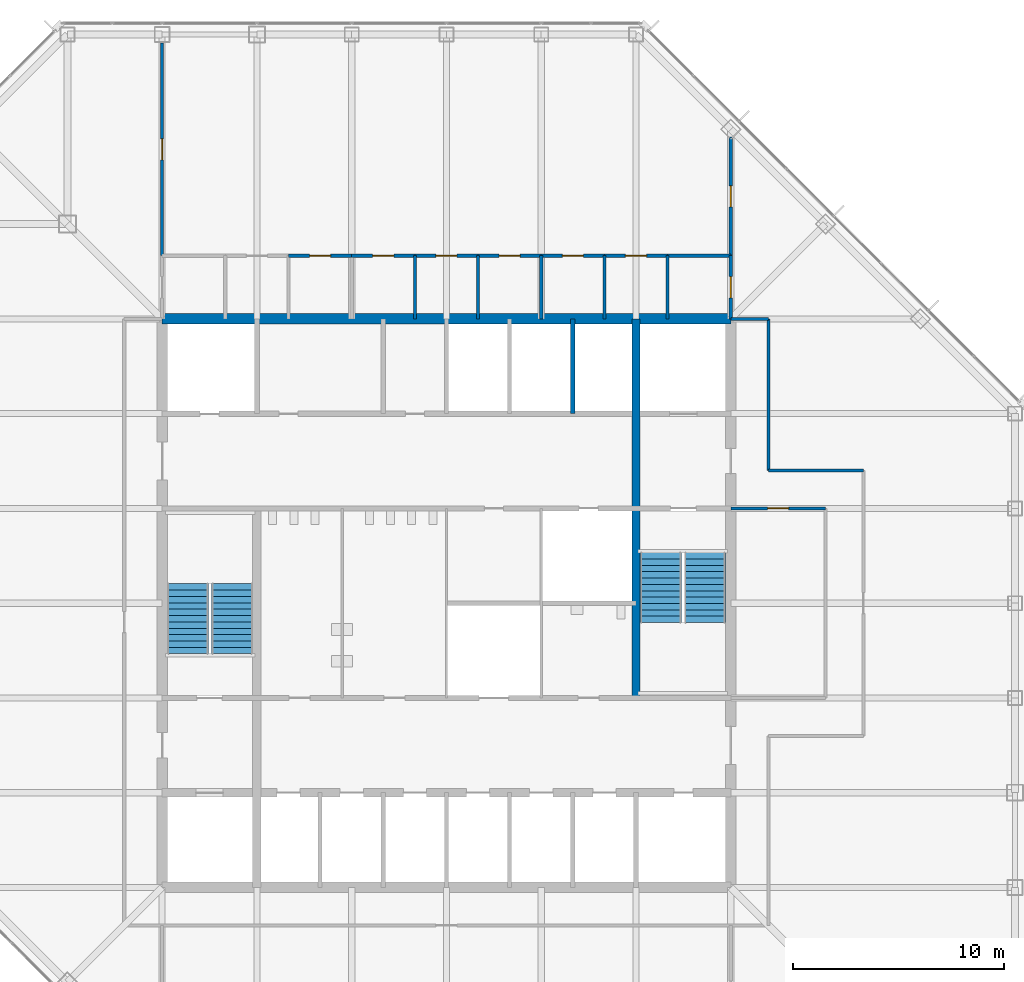
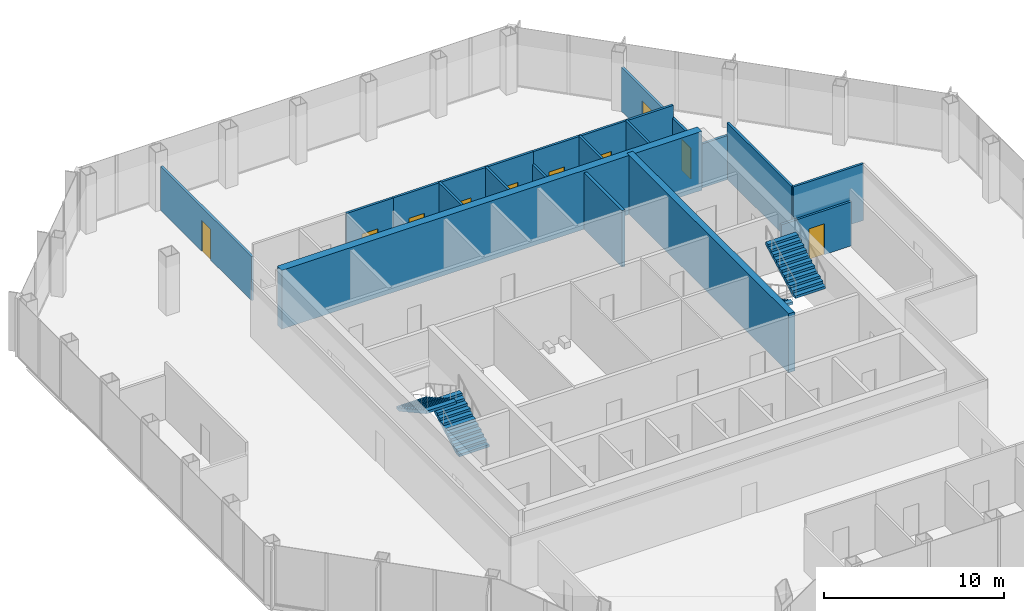
# One storey, part 10 of 12: 22 walls, 10 doors, 4 stair flights, 10 openings, 2 elements without a shape of their own.
"""IFC4 building model written with IfcOpenShell, lengths in metres."""

from ifc_helpers import new_model, si_unit, direction, frame, frame_2d, origin, place, context, subcontext, project, spatial, polyline, rectangle, outline, extrude, material, layer, layer_set, type_object, element, fill, aggregate, save


model = new_model("IFC4")

# Units and contexts
model_context = context("Model", 3, precision=1e-05, world=origin(), true_north=direction((0.0, 1.0)))
body_context = subcontext(model_context, "Body", "Model", "MODEL_VIEW")
ifc_project = project(units=[si_unit("LENGTHUNIT", "METRE"), si_unit("AREAUNIT", "SQUARE_METRE"), si_unit("VOLUMEUNIT", "CUBIC_METRE"), si_unit("PLANEANGLEUNIT", "RADIAN"), si_unit("MASSUNIT", "GRAM", prefix="KILO")], contexts=[model_context])

# Site, building, storey
site_placement = place(None, origin())
site = spatial("IfcSite", under=ifc_project, at=site_placement, CompositionType="ELEMENT")
building_placement = place(site_placement, origin())
building = spatial("IfcBuilding", under=site, at=building_placement, Name="Corais Broadcast Tower", CompositionType="ELEMENT")
storey_placement = place(building_placement, frame((0.0, 0.0, 163.60009765625)))
storey = spatial("IfcBuildingStorey", under=building, at=storey_placement, Name="L37", CompositionType="ELEMENT", Elevation=163.60009765625)

# Walls
ifc_material_1 = material(Name="Concrete C50/60", Category="concrete")
ifc_layer_1 = layer(ifc_material_1, 0.39990234375)
ifc_layer_set_1 = layer_set([ifc_layer_1], Name="Concrete C50/60")
wall_type_1 = type_object("IfcWallType", Name="Core wall 400", PredefinedType="SHEAR", material=ifc_layer_set_1)
wall_1_placement = place(storey_placement, frame((36.0, 22.5, 0.0), z_axis=(0.0, 0.0, 1.0), x_axis=(0.0, 1.0, 0.0)))
element("IfcWall", 1, at=wall_1_placement, inside=storey, type_object=wall_type_1, Name="CR400 core wall X36B L37", PredefinedType="SHEAR", context=body_context, shape_type="SweptSolid", body=[
    extrude(rectangle(XDim=18.0, YDim=0.39990234375, at=frame_2d((9.0, 0.0))), origin(), (0.0, 0.0, 1.0), 4.0),
])
ifc_material_2 = material(Name="Concrete C50/60", Category="concrete")
ifc_layer_2 = layer(ifc_material_2, 0.5)
ifc_layer_set_2 = layer_set([ifc_layer_2], Name="Concrete C50/60")
wall_type_2 = type_object("IfcWallType", Name="Core wall 500", PredefinedType="SHEAR", material=ifc_layer_set_2)
wall_2_placement = place(storey_placement, frame((40.5, 40.5, 0.0), z_axis=(0.0, 0.0, 1.0), x_axis=(-1.0, 0.0, 0.0)))
element("IfcWall", 2, at=wall_2_placement, inside=storey, type_object=wall_type_2, Name="CR500 core wall N L37", PredefinedType="SHEAR", context=body_context, shape_type="SweptSolid", body=[
    extrude(rectangle(XDim=27.0, YDim=0.5, at=frame_2d((13.5, 0.0))), origin(), (0.0, 0.0, 1.0), 4.0),
])
ifc_material_3 = material(Name="Gypsum board on steel studs", Category="steel")
ifc_layer_3 = layer(ifc_material_3, 0.14990234375)
ifc_layer_set_3 = layer_set([ifc_layer_3], Name="Gypsum board on steel studs")
wall_type_3 = type_object("IfcWallType", Name="Partition 150", PredefinedType="PARTITIONING", material=ifc_layer_set_3)
wall_3_placement = place(storey_placement, frame((42.300048828125, 33.300048828125, 0.0), z_axis=(0.0, 0.0, 1.0), x_axis=(0.0, 1.0, 0.0)))
element("IfcWall", 3, at=wall_3_placement, inside=storey, type_object=wall_type_3, Name="IW3 corridor wall L37", PredefinedType="PARTITIONING", context=body_context, shape_type="SweptSolid", body=[
    extrude(rectangle(XDim=7.199951171875, YDim=0.14990234375, at=frame_2d((3.60009765625, 0.0))), origin(), (0.0, 0.0, 1.0), 3.83984375),
])
wall_4_placement = place(storey_placement, frame((46.800048828125, 33.300048828125, 0.0), z_axis=(0.0, 0.0, 1.0), x_axis=(-1.0, 0.0, 0.0)))
element("IfcWall", 4, at=wall_4_placement, inside=storey, type_object=wall_type_3, Name="IW3 corridor wall L37", PredefinedType="PARTITIONING", context=body_context, shape_type="SweptSolid", body=[
    extrude(rectangle(XDim=4.5, YDim=0.14990234375, at=frame_2d((2.25, 0.0))), origin(), (0.0, 0.0, 1.0), 3.83984375),
])
wall_5_placement = place(storey_placement, frame((42.300048828125, 40.5, 0.0), z_axis=(0.0, 0.0, 1.0), x_axis=(-1.0, 0.0, 0.0)))
element("IfcWall", 5, at=wall_5_placement, inside=storey, type_object=wall_type_3, Name="IW3 corridor wall L37", PredefinedType="PARTITIONING", context=body_context, shape_type="SweptSolid", body=[
    extrude(rectangle(XDim=1.800048828125, YDim=0.14990234375, at=frame_2d((0.89990234375, 0.0))), origin(), (0.0, 0.0, 1.0), 2.989013671875),
])

# Wall, opening, door
wall_6_placement = place(storey_placement, frame((22.5, 43.5, 0.0), z_axis=(0.0, 0.0, 1.0), x_axis=(-1.0, 0.0, 0.0)))
wall_6 = element("IfcWall", 6, at=wall_6_placement, inside=storey, type_object=wall_type_3, Name="IW3 partition L37", PredefinedType="PARTITIONING", context=body_context, shape_type="SweptSolid", body=[
    extrude(rectangle(XDim=3.0, YDim=0.14990234375, at=frame_2d((1.5, 0.0))), origin(), (0.0, 0.0, 1.0), 3.83984375),
])
opening_1_placement = place(wall_6_placement, frame((1.0, 0.0, 0.0)))
opening_1 = element("IfcOpeningElement", 7, at=opening_1_placement, cuts=wall_6, Name="Opening D1", PredefinedType="OPENING", context=body_context, shape_type="SweptSolid", body=[
    extrude(rectangle(XDim=1.0, YDim=2.10009765625, at=frame_2d((0.5, 1.050048828125))), frame((0.0, 0.0849609375, 0.0), z_axis=(0.0, -1.0, 0.0), x_axis=(1.0, 0.0, 0.0)), (0.0, 0.0, 1.0), 0.169921875),
])
ifc_material_4 = material(Name="Timber door", Category="wood")
door_type = type_object("IfcDoorType", Name="Single door 1000x2100", OperationType="SINGLE_SWING_LEFT", PredefinedType="DOOR", material=ifc_material_4)
door_1_placement = place(opening_1_placement, origin())
door_1 = element("IfcDoor", 8, at=door_1_placement, inside=storey, type_object=door_type, Name="D1 Podcast booth door", OperationType="SINGLE_SWING_LEFT", OverallHeight=2.10009765625, OverallWidth=1.0, PredefinedType="DOOR", context=body_context, shape_type="SweptSolid", body=[
    extrude(rectangle(XDim=1.0, YDim=2.10009765625, at=frame_2d((0.5, 1.050048828125))), frame((0.0, 0.02490234375, 0.0), z_axis=(0.0, -1.0, 0.0), x_axis=(1.0, 0.0, 0.0)), (0.0, 0.0, 1.0), 0.050048828125),
])
fill(opening_1, door_1)

# Wall
wall_7_placement = place(storey_placement, frame((25.5, 40.5, 0.0), z_axis=(0.0, 0.0, 1.0), x_axis=(0.0, 1.0, 0.0)))
element("IfcWall", 9, at=wall_7_placement, inside=storey, type_object=wall_type_3, Name="IW3 partition L37", PredefinedType="PARTITIONING", context=body_context, shape_type="SweptSolid", body=[
    extrude(rectangle(XDim=3.0, YDim=0.14990234375, at=frame_2d((1.5, 0.0))), origin(), (0.0, 0.0, 1.0), 3.83984375),
])

# Wall, opening, door
wall_8_placement = place(storey_placement, frame((25.5, 43.5, 0.0), z_axis=(0.0, 0.0, 1.0), x_axis=(-1.0, 0.0, 0.0)))
wall_8 = element("IfcWall", 10, at=wall_8_placement, inside=storey, type_object=wall_type_3, Name="IW3 partition L37", PredefinedType="PARTITIONING", context=body_context, shape_type="SweptSolid", body=[
    extrude(rectangle(XDim=3.0, YDim=0.14990234375, at=frame_2d((1.5, 0.0))), origin(), (0.0, 0.0, 1.0), 3.83984375),
])
opening_2_placement = place(wall_8_placement, frame((1.0, 0.0, 0.0)))
opening_2 = element("IfcOpeningElement", 11, at=opening_2_placement, cuts=wall_8, Name="Opening D1", PredefinedType="OPENING", context=body_context, shape_type="SweptSolid", body=[
    extrude(rectangle(XDim=1.0, YDim=2.10009765625, at=frame_2d((0.5, 1.050048828125))), frame((0.0, 0.0849609375, 0.0), z_axis=(0.0, -1.0, 0.0), x_axis=(1.0, 0.0, 0.0)), (0.0, 0.0, 1.0), 0.169921875),
])
door_2_placement = place(opening_2_placement, origin())
door_2 = element("IfcDoor", 12, at=door_2_placement, inside=storey, type_object=door_type, Name="D1 Podcast booth door", OperationType="SINGLE_SWING_LEFT", OverallHeight=2.10009765625, OverallWidth=1.0, PredefinedType="DOOR", context=body_context, shape_type="SweptSolid", body=[
    extrude(rectangle(XDim=1.0, YDim=2.10009765625, at=frame_2d((0.5, 1.050048828125))), frame((0.0, 0.02490234375, 0.0), z_axis=(0.0, -1.0, 0.0), x_axis=(1.0, 0.0, 0.0)), (0.0, 0.0, 1.0), 0.050048828125),
])
fill(opening_2, door_2)

# Wall
wall_9_placement = place(storey_placement, frame((28.5, 40.5, 0.0), z_axis=(0.0, 0.0, 1.0), x_axis=(0.0, 1.0, 0.0)))
element("IfcWall", 13, at=wall_9_placement, inside=storey, type_object=wall_type_3, Name="IW3 partition L37", PredefinedType="PARTITIONING", context=body_context, shape_type="SweptSolid", body=[
    extrude(rectangle(XDim=3.0, YDim=0.14990234375, at=frame_2d((1.5, 0.0))), origin(), (0.0, 0.0, 1.0), 3.83984375),
])

# Wall, opening, door
wall_10_placement = place(storey_placement, frame((28.5, 43.5, 0.0), z_axis=(0.0, 0.0, 1.0), x_axis=(-1.0, 0.0, 0.0)))
wall_10 = element("IfcWall", 14, at=wall_10_placement, inside=storey, type_object=wall_type_3, Name="IW3 partition L37", PredefinedType="PARTITIONING", context=body_context, shape_type="SweptSolid", body=[
    extrude(rectangle(XDim=3.0, YDim=0.14990234375, at=frame_2d((1.5, 0.0))), origin(), (0.0, 0.0, 1.0), 3.83984375),
])
opening_3_placement = place(wall_10_placement, frame((1.0, 0.0, 0.0)))
opening_3 = element("IfcOpeningElement", 15, at=opening_3_placement, cuts=wall_10, Name="Opening D1", PredefinedType="OPENING", context=body_context, shape_type="SweptSolid", body=[
    extrude(rectangle(XDim=1.0, YDim=2.10009765625, at=frame_2d((0.5, 1.050048828125))), frame((0.0, 0.0849609375, 0.0), z_axis=(0.0, -1.0, 0.0), x_axis=(1.0, 0.0, 0.0)), (0.0, 0.0, 1.0), 0.169921875),
])
door_3_placement = place(opening_3_placement, origin())
door_3 = element("IfcDoor", 16, at=door_3_placement, inside=storey, type_object=door_type, Name="D1 Podcast booth door", OperationType="SINGLE_SWING_LEFT", OverallHeight=2.10009765625, OverallWidth=1.0, PredefinedType="DOOR", context=body_context, shape_type="SweptSolid", body=[
    extrude(rectangle(XDim=1.0, YDim=2.10009765625, at=frame_2d((0.5, 1.050048828125))), frame((0.0, 0.02490234375, 0.0), z_axis=(0.0, -1.0, 0.0), x_axis=(1.0, 0.0, 0.0)), (0.0, 0.0, 1.0), 0.050048828125),
])
fill(opening_3, door_3)

# Wall
wall_11_placement = place(storey_placement, frame((31.5, 40.5, 0.0), z_axis=(0.0, 0.0, 1.0), x_axis=(0.0, 1.0, 0.0)))
element("IfcWall", 17, at=wall_11_placement, inside=storey, type_object=wall_type_3, Name="IW3 partition L37", PredefinedType="PARTITIONING", context=body_context, shape_type="SweptSolid", body=[
    extrude(rectangle(XDim=3.0, YDim=0.14990234375, at=frame_2d((1.5, 0.0))), origin(), (0.0, 0.0, 1.0), 2.989013671875),
])

# Wall, opening, door
wall_12_placement = place(storey_placement, frame((31.5, 43.5, 0.0), z_axis=(0.0, 0.0, 1.0), x_axis=(-1.0, 0.0, 0.0)))
wall_12 = element("IfcWall", 18, at=wall_12_placement, inside=storey, type_object=wall_type_3, Name="IW3 partition L37", PredefinedType="PARTITIONING", context=body_context, shape_type="SweptSolid", body=[
    extrude(rectangle(XDim=3.0, YDim=0.14990234375, at=frame_2d((1.5, 0.0))), origin(), (0.0, 0.0, 1.0), 3.83984375),
])
opening_4_placement = place(wall_12_placement, frame((1.0, 0.0, 0.0)))
opening_4 = element("IfcOpeningElement", 19, at=opening_4_placement, cuts=wall_12, Name="Opening D1", PredefinedType="OPENING", context=body_context, shape_type="SweptSolid", body=[
    extrude(rectangle(XDim=1.0, YDim=2.10009765625, at=frame_2d((0.5, 1.050048828125))), frame((0.0, 0.0849609375, 0.0), z_axis=(0.0, -1.0, 0.0), x_axis=(1.0, 0.0, 0.0)), (0.0, 0.0, 1.0), 0.169921875),
])
door_4_placement = place(opening_4_placement, origin())
door_4 = element("IfcDoor", 20, at=door_4_placement, inside=storey, type_object=door_type, Name="D1 Podcast booth door", OperationType="SINGLE_SWING_LEFT", OverallHeight=2.10009765625, OverallWidth=1.0, PredefinedType="DOOR", context=body_context, shape_type="SweptSolid", body=[
    extrude(rectangle(XDim=1.0, YDim=2.10009765625, at=frame_2d((0.5, 1.050048828125))), frame((0.0, 0.02490234375, 0.0), z_axis=(0.0, -1.0, 0.0), x_axis=(1.0, 0.0, 0.0)), (0.0, 0.0, 1.0), 0.050048828125),
])
fill(opening_4, door_4)

# Wall
wall_13_placement = place(storey_placement, frame((34.5, 40.5, 0.0), z_axis=(0.0, 0.0, 1.0), x_axis=(0.0, 1.0, 0.0)))
element("IfcWall", 21, at=wall_13_placement, inside=storey, type_object=wall_type_3, Name="IW3 partition L37", PredefinedType="PARTITIONING", context=body_context, shape_type="SweptSolid", body=[
    extrude(rectangle(XDim=3.0, YDim=0.14990234375, at=frame_2d((1.5, 0.0))), origin(), (0.0, 0.0, 1.0), 3.83984375),
])

# Wall, opening, door
wall_14_placement = place(storey_placement, frame((34.5, 43.5, 0.0), z_axis=(0.0, 0.0, 1.0), x_axis=(-1.0, 0.0, 0.0)))
wall_14 = element("IfcWall", 22, at=wall_14_placement, inside=storey, type_object=wall_type_3, Name="IW3 partition L37", PredefinedType="PARTITIONING", context=body_context, shape_type="SweptSolid", body=[
    extrude(rectangle(XDim=3.0, YDim=0.14990234375, at=frame_2d((1.5, 0.0))), origin(), (0.0, 0.0, 1.0), 3.83984375),
])
opening_5_placement = place(wall_14_placement, frame((1.0, 0.0, 0.0)))
opening_5 = element("IfcOpeningElement", 23, at=opening_5_placement, cuts=wall_14, Name="Opening D1", PredefinedType="OPENING", context=body_context, shape_type="SweptSolid", body=[
    extrude(rectangle(XDim=1.0, YDim=2.10009765625, at=frame_2d((0.5, 1.050048828125))), frame((0.0, 0.0849609375, 0.0), z_axis=(0.0, -1.0, 0.0), x_axis=(1.0, 0.0, 0.0)), (0.0, 0.0, 1.0), 0.169921875),
])
door_5_placement = place(opening_5_placement, origin())
door_5 = element("IfcDoor", 24, at=door_5_placement, inside=storey, type_object=door_type, Name="D1 Podcast booth door", OperationType="SINGLE_SWING_LEFT", OverallHeight=2.10009765625, OverallWidth=1.0, PredefinedType="DOOR", context=body_context, shape_type="SweptSolid", body=[
    extrude(rectangle(XDim=1.0, YDim=2.10009765625, at=frame_2d((0.5, 1.050048828125))), frame((0.0, 0.02490234375, 0.0), z_axis=(0.0, -1.0, 0.0), x_axis=(1.0, 0.0, 0.0)), (0.0, 0.0, 1.0), 0.050048828125),
])
fill(opening_5, door_5)

# Wall
wall_15_placement = place(storey_placement, frame((37.5, 40.5, 0.0), z_axis=(0.0, 0.0, 1.0), x_axis=(0.0, 1.0, 0.0)))
element("IfcWall", 25, at=wall_15_placement, inside=storey, type_object=wall_type_3, Name="IW3 partition L37", PredefinedType="PARTITIONING", context=body_context, shape_type="SweptSolid", body=[
    extrude(rectangle(XDim=3.0, YDim=0.14990234375, at=frame_2d((1.5, 0.0))), origin(), (0.0, 0.0, 1.0), 3.83984375),
])

# Wall, opening, door
wall_16_placement = place(storey_placement, frame((37.5, 43.5, 0.0), z_axis=(0.0, 0.0, 1.0), x_axis=(-1.0, 0.0, 0.0)))
wall_16 = element("IfcWall", 26, at=wall_16_placement, inside=storey, type_object=wall_type_3, Name="IW3 partition L37", PredefinedType="PARTITIONING", context=body_context, shape_type="SweptSolid", body=[
    extrude(rectangle(XDim=3.0, YDim=0.14990234375, at=frame_2d((1.5, 0.0))), origin(), (0.0, 0.0, 1.0), 3.83984375),
])
opening_6_placement = place(wall_16_placement, frame((1.0, 0.0, 0.0)))
opening_6 = element("IfcOpeningElement", 27, at=opening_6_placement, cuts=wall_16, Name="Opening D1", PredefinedType="OPENING", context=body_context, shape_type="SweptSolid", body=[
    extrude(rectangle(XDim=1.0, YDim=2.10009765625, at=frame_2d((0.5, 1.050048828125))), frame((0.0, 0.0849609375, 0.0), z_axis=(0.0, -1.0, 0.0), x_axis=(1.0, 0.0, 0.0)), (0.0, 0.0, 1.0), 0.169921875),
])
door_6_placement = place(opening_6_placement, origin())
door_6 = element("IfcDoor", 28, at=door_6_placement, inside=storey, type_object=door_type, Name="D1 Podcast booth door", OperationType="SINGLE_SWING_LEFT", OverallHeight=2.10009765625, OverallWidth=1.0, PredefinedType="DOOR", context=body_context, shape_type="SweptSolid", body=[
    extrude(rectangle(XDim=1.0, YDim=2.10009765625, at=frame_2d((0.5, 1.050048828125))), frame((0.0, 0.02490234375, 0.0), z_axis=(0.0, -1.0, 0.0), x_axis=(1.0, 0.0, 0.0)), (0.0, 0.0, 1.0), 0.050048828125),
])
fill(opening_6, door_6)

wall_17_placement = place(storey_placement, frame((40.5, 40.5, 0.0), z_axis=(0.0, 0.0, 1.0), x_axis=(0.0, 1.0, 0.0)))
wall_17 = element("IfcWall", 29, at=wall_17_placement, inside=storey, type_object=wall_type_3, Name="IW3 partition L37", PredefinedType="PARTITIONING", context=body_context, shape_type="SweptSolid", body=[
    extrude(rectangle(XDim=3.0, YDim=0.14990234375, at=frame_2d((1.5, 0.0))), origin(), (0.0, 0.0, 1.0), 2.989013671875),
])
opening_7_placement = place(wall_17_placement, frame((1.0, 0.0, 0.0)))
opening_7 = element("IfcOpeningElement", 30, at=opening_7_placement, cuts=wall_17, Name="Opening D1", PredefinedType="OPENING", context=body_context, shape_type="SweptSolid", body=[
    extrude(rectangle(XDim=1.0, YDim=2.10009765625, at=frame_2d((0.5, 1.050048828125))), frame((0.0, 0.0849609375, 0.0), z_axis=(0.0, -1.0, 0.0), x_axis=(1.0, 0.0, 0.0)), (0.0, 0.0, 1.0), 0.169921875),
])
door_7_placement = place(opening_7_placement, origin())
door_7 = element("IfcDoor", 31, at=door_7_placement, inside=storey, type_object=door_type, Name="D1 Podcast booth door", OperationType="SINGLE_SWING_LEFT", OverallHeight=2.10009765625, OverallWidth=1.0, PredefinedType="DOOR", context=body_context, shape_type="SweptSolid", body=[
    extrude(rectangle(XDim=1.0, YDim=2.10009765625, at=frame_2d((0.5, 1.050048828125))), frame((0.0, 0.02490234375, 0.0), z_axis=(0.0, -1.0, 0.0), x_axis=(1.0, 0.0, 0.0)), (0.0, 0.0, 1.0), 0.050048828125),
])
fill(opening_7, door_7)

# Wall
wall_18_placement = place(storey_placement, frame((40.5, 43.5, 0.0), z_axis=(0.0, 0.0, 1.0), x_axis=(-1.0, 0.0, 0.0)))
element("IfcWall", 32, at=wall_18_placement, inside=storey, type_object=wall_type_3, Name="IW3 partition L37", PredefinedType="PARTITIONING", context=body_context, shape_type="SweptSolid", body=[
    extrude(rectangle(XDim=3.0, YDim=0.14990234375, at=frame_2d((1.5, 0.0))), origin(), (0.0, 0.0, 1.0), 3.83984375),
])

# Wall, opening, door
wall_19_placement = place(storey_placement, frame((45.0, 31.5, 0.0), z_axis=(0.0, 0.0, 1.0), x_axis=(-1.0, 0.0, 0.0)))
wall_19 = element("IfcWall", 33, at=wall_19_placement, inside=storey, type_object=wall_type_3, Name="IW3 partition L37", PredefinedType="PARTITIONING", context=body_context, shape_type="SweptSolid", body=[
    extrude(rectangle(XDim=4.5, YDim=0.14990234375, at=frame_2d((2.25, 0.0))), origin(), (0.0, 0.0, 1.0), 2.989013671875),
])
opening_8_placement = place(wall_19_placement, frame((1.75, 0.0, 0.0)))
opening_8 = element("IfcOpeningElement", 34, at=opening_8_placement, cuts=wall_19, Name="Opening D1", PredefinedType="OPENING", context=body_context, shape_type="SweptSolid", body=[
    extrude(rectangle(XDim=1.0, YDim=2.10009765625, at=frame_2d((0.5, 1.050048828125))), frame((0.0, 0.0849609375, 0.0), z_axis=(0.0, -1.0, 0.0), x_axis=(1.0, 0.0, 0.0)), (0.0, 0.0, 1.0), 0.169921875),
])
door_8_placement = place(opening_8_placement, origin())
door_8 = element("IfcDoor", 35, at=door_8_placement, inside=storey, type_object=door_type, Name="D1 Meeting room door", OperationType="SINGLE_SWING_LEFT", OverallHeight=2.10009765625, OverallWidth=1.0, PredefinedType="DOOR", context=body_context, shape_type="SweptSolid", body=[
    extrude(rectangle(XDim=1.0, YDim=2.10009765625, at=frame_2d((0.5, 1.050048828125))), frame((0.0, 0.02490234375, 0.0), z_axis=(0.0, -1.0, 0.0), x_axis=(1.0, 0.0, 0.0)), (0.0, 0.0, 1.0), 0.050048828125),
])
fill(opening_8, door_8)

wall_20_placement = place(storey_placement, frame((40.5, 49.1298828125, 0.0), z_axis=(0.0, 0.0, 1.0), x_axis=(0.0, -1.0, 0.0)))
wall_20 = element("IfcWall", 36, at=wall_20_placement, inside=storey, type_object=wall_type_3, Name="IW3 partition L37", PredefinedType="PARTITIONING", context=body_context, shape_type="SweptSolid", body=[
    extrude(rectangle(XDim=5.6298828125, YDim=0.14990234375, at=frame_2d((2.81494140625, 0.0))), origin(), (0.0, 0.0, 1.0), 2.989013671875),
])
opening_9_placement = place(wall_20_placement, frame((2.31494140625, 0.0, 0.0)))
opening_9 = element("IfcOpeningElement", 37, at=opening_9_placement, cuts=wall_20, Name="Opening D1", PredefinedType="OPENING", context=body_context, shape_type="SweptSolid", body=[
    extrude(rectangle(XDim=1.0, YDim=2.10009765625, at=frame_2d((0.5, 1.050048828125))), frame((0.0, 0.0849609375, 0.0), z_axis=(0.0, -1.0, 0.0), x_axis=(1.0, 0.0, 0.0)), (0.0, 0.0, 1.0), 0.169921875),
])
door_9_placement = place(opening_9_placement, origin())
door_9 = element("IfcDoor", 38, at=door_9_placement, inside=storey, type_object=door_type, Name="D1 team room door L37", OperationType="SINGLE_SWING_LEFT", OverallHeight=2.10009765625, OverallWidth=1.0, PredefinedType="DOOR", context=body_context, shape_type="SweptSolid", body=[
    extrude(rectangle(XDim=1.0, YDim=2.10009765625, at=frame_2d((0.5, 1.050048828125))), frame((0.0, 0.02490234375, 0.0), z_axis=(0.0, -1.0, 0.0), x_axis=(1.0, 0.0, 0.0)), (0.0, 0.0, 1.0), 0.050048828125),
])
fill(opening_9, door_9)

wall_21_placement = place(storey_placement, frame((13.5, 43.5, 0.0), z_axis=(0.0, 0.0, 1.0), x_axis=(0.0, 1.0, 0.0)))
wall_21 = element("IfcWall", 39, at=wall_21_placement, inside=storey, type_object=wall_type_3, Name="IW3 partition L37", PredefinedType="PARTITIONING", context=body_context, shape_type="SweptSolid", body=[
    extrude(rectangle(XDim=10.10498046875, YDim=0.14990234375, at=frame_2d((5.052490234375, 0.0))), origin(), (0.0, 0.0, 1.0), 2.989013671875),
])
opening_10_placement = place(wall_21_placement, frame((4.552490234375, 0.0, 0.0)))
opening_10 = element("IfcOpeningElement", 40, at=opening_10_placement, cuts=wall_21, Name="Opening D1", PredefinedType="OPENING", context=body_context, shape_type="SweptSolid", body=[
    extrude(rectangle(XDim=1.0, YDim=2.10009765625, at=frame_2d((0.5, 1.050048828125))), frame((0.0, 0.0849609375, 0.0), z_axis=(0.0, -1.0, 0.0), x_axis=(1.0, 0.0, 0.0)), (0.0, 0.0, 1.0), 0.169921875),
])
door_10_placement = place(opening_10_placement, origin())
door_10 = element("IfcDoor", 41, at=door_10_placement, inside=storey, type_object=door_type, Name="D1 team room door L37", OperationType="SINGLE_SWING_LEFT", OverallHeight=2.10009765625, OverallWidth=1.0, PredefinedType="DOOR", context=body_context, shape_type="SweptSolid", body=[
    extrude(rectangle(XDim=1.0, YDim=2.10009765625, at=frame_2d((0.5, 1.050048828125))), frame((0.0, 0.02490234375, 0.0), z_axis=(0.0, -1.0, 0.0), x_axis=(1.0, 0.0, 0.0)), (0.0, 0.0, 1.0), 0.050048828125),
])
fill(opening_10, door_10)

# Wall
ifc_material_5 = material(Name="Concrete blockwork class A, grouted, two-hour", Category="masonry")
ifc_layer_4 = layer(ifc_material_5, 0.199951171875)
ifc_layer_set_4 = layer_set([ifc_layer_4], Name="Concrete blockwork class A, grouted, two-hour")
wall_type_4 = type_object("IfcWallType", Name="Shaft wall 200", PredefinedType="PARTITIONING", material=ifc_layer_set_4)
wall_22_placement = place(storey_placement, frame((33.0, 36.0, 0.0), z_axis=(0.0, 0.0, 1.0), x_axis=(0.0, 1.0, 0.0)))
element("IfcWall", 42, at=wall_22_placement, inside=storey, type_object=wall_type_4, Name="IW1 shaft wall L37", PredefinedType="PARTITIONING", context=body_context, shape_type="SweptSolid", body=[
    extrude(rectangle(XDim=4.5, YDim=0.199951171875, at=frame_2d((2.25, 0.0))), origin(), (0.0, 0.0, 1.0), 3.83984375),
])

# Stair, stair flights
ifc_material_6 = material(Name="Concrete C30/37", Category="concrete")
stair_type = type_object("IfcStairType", Name="Half-turn stair 4000", PredefinedType="HALF_TURN_STAIR", material=ifc_material_6)
stair_1_placement = place(storey_placement, origin())
stair_1 = element("IfcStair", 43, at=stair_1_placement, inside=storey, type_object=stair_type, Name="Stair A L37", PredefinedType="HALF_TURN_STAIR")
ifc_material_7 = material(Name="Concrete C30/37", Category="concrete")
stair_flight_type = type_object("IfcStairFlightType", Name="Stair flight 4000", PredefinedType="STRAIGHT", material=ifc_material_7)
stair_flight_1_placement = place(storey_placement, frame((16.824951171875, 24.60009765625, 0.0), z_axis=(0.0, 0.0, 1.0), x_axis=(0.0, 1.0, 0.0)))
stair_flight_1 = element("IfcStairFlight", 44, at=stair_flight_1_placement, type_object=stair_flight_type, Name="STA flight 1", NumberOfRisers=12, NumberOfTreads=11, PredefinedType="STRAIGHT", RiserHeight=0.166666667, TreadLength=0.302, context=body_context, shape_type="SweptSolid", body=[
    extrude(outline(polyline([(0.0, 0.0), (0.0, 0.166748046875), (0.302001953125, 0.166748046875), (0.302001953125, 0.333251953125), (0.60400390625, 0.333251953125), (0.60400390625, 0.5), (0.906005859375, 0.5), (0.906005859375, 0.666748046875), (1.2080078125, 0.666748046875), (1.2080078125, 0.833251953125), (1.510009765625, 0.833251953125), (1.510009765625, 1.0), (1.81201171875, 1.0), (1.81201171875, 1.166748046875), (2.114013671875, 1.166748046875), (2.114013671875, 1.333251953125), (2.416015625, 1.333251953125), (2.416015625, 1.5), (2.718017578125, 1.5), (2.718017578125, 1.666748046875), (3.02001953125, 1.666748046875), (3.02001953125, 1.833251953125), (3.322021484375, 1.833251953125), (3.322021484375, 2.0), (3.322021484375, 1.662109375), (0.310302734375, 0.0), (0.0, 0.0)])), frame((0.0, 0.97509765625, 0.0), z_axis=(0.0, -1.0, 0.0), x_axis=(1.0, 0.0, 0.0)), (0.0, 0.0, 1.0), 1.949951171875),
])
stair_flight_2_placement = place(storey_placement, frame((14.72509765625, 27.922119140625, 2.0), z_axis=(0.0, 0.0, 1.0), x_axis=(0.0, -1.0, 0.0)))
stair_flight_2 = element("IfcStairFlight", 45, at=stair_flight_2_placement, type_object=stair_flight_type, Name="STA flight 2", NumberOfRisers=12, NumberOfTreads=11, PredefinedType="STRAIGHT", RiserHeight=0.166666667, TreadLength=0.302, context=body_context, shape_type="SweptSolid", body=[
    extrude(outline(polyline([(0.0, 0.0), (0.0, 0.166748046875), (0.302001953125, 0.166748046875), (0.302001953125, 0.333251953125), (0.60400390625, 0.333251953125), (0.60400390625, 0.5), (0.906005859375, 0.5), (0.906005859375, 0.666748046875), (1.2080078125, 0.666748046875), (1.2080078125, 0.833251953125), (1.510009765625, 0.833251953125), (1.510009765625, 1.0), (1.81201171875, 1.0), (1.81201171875, 1.166748046875), (2.114013671875, 1.166748046875), (2.114013671875, 1.333251953125), (2.416015625, 1.333251953125), (2.416015625, 1.5), (2.718017578125, 1.5), (2.718017578125, 1.666748046875), (3.02001953125, 1.666748046875), (3.02001953125, 1.833251953125), (3.322021484375, 1.833251953125), (3.322021484375, 2.0), (3.322021484375, 1.662109375), (0.310302734375, 0.0), (0.0, 0.0)])), frame((0.0, 0.97509765625, 0.0), z_axis=(0.0, -1.0, 0.0), x_axis=(1.0, 0.0, 0.0)), (0.0, 0.0, 1.0), 1.949951171875),
])
aggregate(stair_1, [stair_flight_1, stair_flight_2])

stair_2_placement = place(storey_placement, origin())
stair_2 = element("IfcStair", 46, at=stair_2_placement, inside=storey, type_object=stair_type, Name="Stair B L37", PredefinedType="HALF_TURN_STAIR")
stair_flight_3_placement = place(storey_placement, frame((37.175048828125, 29.39990234375, 0.0), z_axis=(0.0, 0.0, 1.0), x_axis=(0.0, -1.0, 0.0)))
stair_flight_3 = element("IfcStairFlight", 47, at=stair_flight_3_placement, type_object=stair_flight_type, Name="STB flight 1", NumberOfRisers=12, NumberOfTreads=11, PredefinedType="STRAIGHT", RiserHeight=0.166666667, TreadLength=0.302, context=body_context, shape_type="SweptSolid", body=[
    extrude(outline(polyline([(0.0, 0.0), (0.0, 0.166748046875), (0.302001953125, 0.166748046875), (0.302001953125, 0.333251953125), (0.60400390625, 0.333251953125), (0.60400390625, 0.5), (0.906005859375, 0.5), (0.906005859375, 0.666748046875), (1.2080078125, 0.666748046875), (1.2080078125, 0.833251953125), (1.510009765625, 0.833251953125), (1.510009765625, 1.0), (1.81201171875, 1.0), (1.81201171875, 1.166748046875), (2.114013671875, 1.166748046875), (2.114013671875, 1.333251953125), (2.416015625, 1.333251953125), (2.416015625, 1.5), (2.718017578125, 1.5), (2.718017578125, 1.666748046875), (3.02001953125, 1.666748046875), (3.02001953125, 1.833251953125), (3.322021484375, 1.833251953125), (3.322021484375, 2.0), (3.322021484375, 1.662109375), (0.310302734375, 0.0), (0.0, 0.0)])), frame((0.0, 0.97509765625, 0.0), z_axis=(0.0, -1.0, 0.0), x_axis=(1.0, 0.0, 0.0)), (0.0, 0.0, 1.0), 1.949951171875),
])
stair_flight_4_placement = place(storey_placement, frame((39.27490234375, 26.077880859375, 2.0), z_axis=(0.0, 0.0, 1.0), x_axis=(0.0, 1.0, 0.0)))
stair_flight_4 = element("IfcStairFlight", 48, at=stair_flight_4_placement, type_object=stair_flight_type, Name="STB flight 2", NumberOfRisers=12, NumberOfTreads=11, PredefinedType="STRAIGHT", RiserHeight=0.166666667, TreadLength=0.302, context=body_context, shape_type="SweptSolid", body=[
    extrude(outline(polyline([(0.0, 0.0), (0.0, 0.166748046875), (0.302001953125, 0.166748046875), (0.302001953125, 0.333251953125), (0.60400390625, 0.333251953125), (0.60400390625, 0.5), (0.906005859375, 0.5), (0.906005859375, 0.666748046875), (1.2080078125, 0.666748046875), (1.2080078125, 0.833251953125), (1.510009765625, 0.833251953125), (1.510009765625, 1.0), (1.81201171875, 1.0), (1.81201171875, 1.166748046875), (2.114013671875, 1.166748046875), (2.114013671875, 1.333251953125), (2.416015625, 1.333251953125), (2.416015625, 1.5), (2.718017578125, 1.5), (2.718017578125, 1.666748046875), (3.02001953125, 1.666748046875), (3.02001953125, 1.833251953125), (3.322021484375, 1.833251953125), (3.322021484375, 2.0), (3.322021484375, 1.662109375), (0.310302734375, 0.0), (0.0, 0.0)])), frame((0.0, 0.97509765625, 0.0), z_axis=(0.0, -1.0, 0.0), x_axis=(1.0, 0.0, 0.0)), (0.0, 0.0, 1.0), 1.949951171875),
])
aggregate(stair_2, [stair_flight_3, stair_flight_4])

save(model, "model.ifc")
